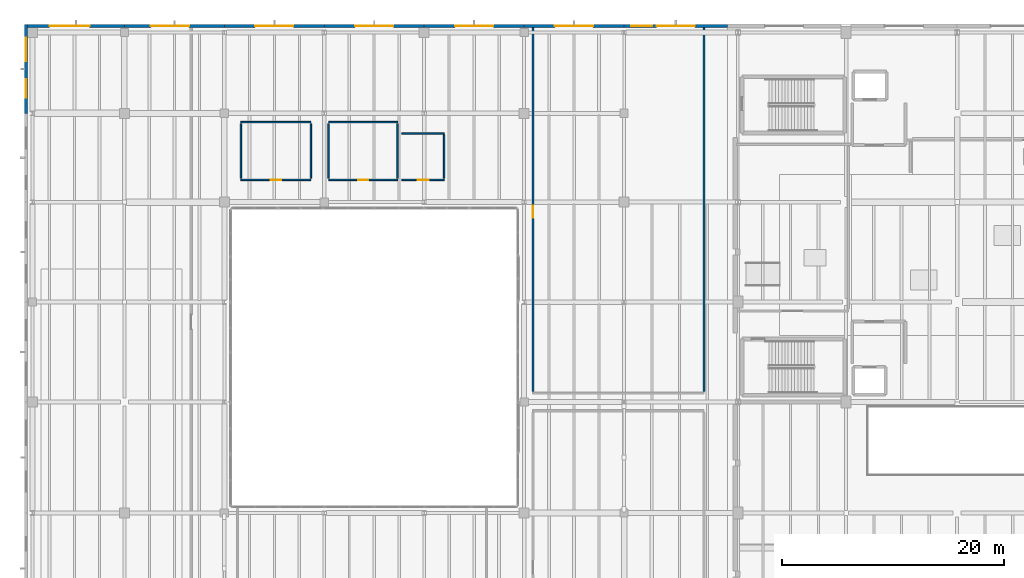
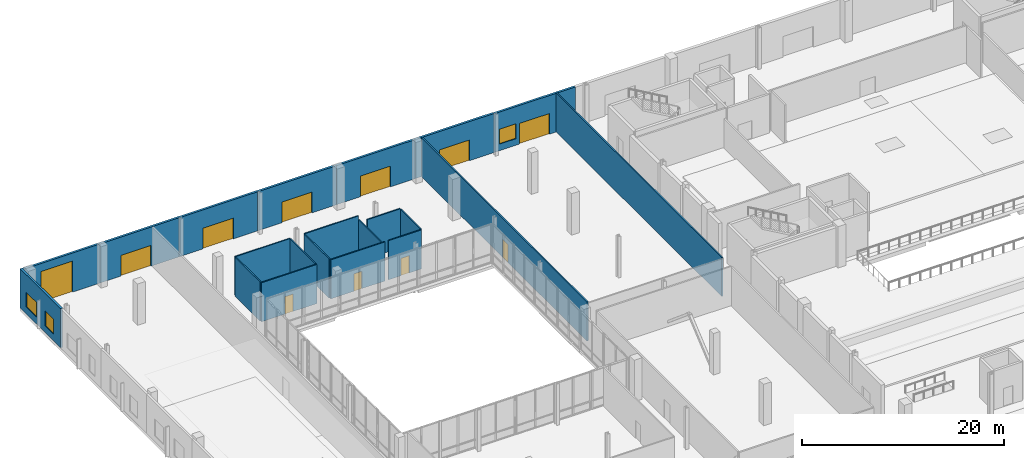
# One storey, part 71 of 88: 21 walls, 11 doors, 3 windows, 14 openings.
"""IFC4 building model written with IfcOpenShell, lengths in metres."""

from ifc_helpers import new_model, si_unit, direction, frame, frame_2d, origin, place, context, subcontext, project, spatial, rectangle, extrude, material, layer, layer_set, type_object, element, fill, save


model = new_model("IFC4")

# Units and contexts
model_context = context("Model", 3, precision=1e-05, world=origin(), true_north=direction((0.0, 1.0)))
body_context = subcontext(model_context, "Body", "Model", "MODEL_VIEW")
ifc_project = project(units=[si_unit("LENGTHUNIT", "METRE"), si_unit("AREAUNIT", "SQUARE_METRE"), si_unit("VOLUMEUNIT", "CUBIC_METRE"), si_unit("PLANEANGLEUNIT", "RADIAN"), si_unit("MASSUNIT", "GRAM", prefix="KILO")], contexts=[model_context])

# Site, building, storey
site_placement = place(None, origin())
site = spatial("IfcSite", under=ifc_project, at=site_placement, CompositionType="ELEMENT")
building_placement = place(site_placement, origin())
building = spatial("IfcBuilding", under=site, at=building_placement, Name="Trimount Lyric Opera House", CompositionType="ELEMENT")
storey_placement = place(building_placement, origin())
storey = spatial("IfcBuildingStorey", under=building, at=storey_placement, Name="L00", CompositionType="ELEMENT", Elevation=0.0)

# Wall, opening, door
ifc_material_1 = material(Name="Moisture-Resistant Gypsum Board")
ifc_layer_1 = layer(ifc_material_1, 0.135009765625)
ifc_layer_set_1 = layer_set([ifc_layer_1], Name="WL-PT135")
wall_type_1 = type_object("IfcWallType", Name="WL-PT135", PredefinedType="PARTITIONING", material=ifc_layer_set_1)
wall_1_placement = place(storey_placement, frame((19.5, 104.0, 0.0), z_axis=(0.0, 0.0, 1.0), x_axis=(1.0, 0.0, 0.0)))
wall_1 = element("IfcWall", 1, at=wall_1_placement, inside=storey, type_object=wall_type_1, Name="L00 L00 Male Restroom S partition", PredefinedType="PARTITIONING", context=body_context, shape_type="SweptSolid", body=[
    extrude(rectangle(XDim=6.300048828125, YDim=0.135009765625, at=frame_2d((3.14990234375, 0.0))), origin(), (0.0, 0.0, 1.0), 4.719970703125),
])
opening_1_placement = place(wall_1_placement, frame((2.68994140625, 0.0, 0.0)))
opening_1 = element("IfcOpeningElement", 2, at=opening_1_placement, cuts=wall_1, Name="Opening DT-WC1", PredefinedType="OPENING", context=body_context, shape_type="SweptSolid", body=[
    extrude(rectangle(XDim=0.919921875, YDim=2.10009765625, at=frame_2d((0.4599609375, 1.050048828125))), frame((0.0, 0.07763671875, 0.0), z_axis=(0.0, -1.0, 0.0), x_axis=(1.0, 0.0, 0.0)), (0.0, 0.0, 1.0), 0.155029296875),
])
ifc_material_2 = material(Name="Moisture-Resistant Solid-Core Laminate")
door_type_1 = type_object("IfcDoorType", Name="DT-WC1", OperationType="NOTDEFINED", PredefinedType="DOOR", material=ifc_material_2)
door_1_placement = place(opening_1_placement, origin())
door_1 = element("IfcDoor", 3, at=door_1_placement, inside=storey, type_object=door_type_1, Name="D-192", OperationType="SINGLE_SWING_LEFT", OverallHeight=2.10009765625, OverallWidth=0.919921875, PredefinedType="DOOR", context=body_context, shape_type="SweptSolid", body=[
    extrude(rectangle(XDim=0.919921875, YDim=2.10009765625, at=frame_2d((0.4599609375, 1.050048828125))), frame((0.0, 0.02490234375, 0.0), z_axis=(0.0, -1.0, 0.0), x_axis=(1.0, 0.0, 0.0)), (0.0, 0.0, 1.0), 0.050048828125),
])
fill(opening_1, door_1)

# Walls
wall_2_placement = place(storey_placement, frame((25.800048828125, 109.199951171875, 0.0), z_axis=(0.0, 0.0, 1.0), x_axis=(-1.0, 0.0, 0.0)))
element("IfcWall", 4, at=wall_2_placement, inside=storey, type_object=wall_type_1, Name="L00 L00 Male Restroom N partition", PredefinedType="PARTITIONING", context=body_context, shape_type="SweptSolid", body=[
    extrude(rectangle(XDim=6.300048828125, YDim=0.135009765625, at=frame_2d((3.14990234375, 0.0))), origin(), (0.0, 0.0, 1.0), 4.719970703125),
])
for number, where, z_axis, x_axis, name in (
    (5, (19.5, 109.06494140625, 0.0), (0.0, 0.0, 1.0), (0.0, -1.0, 0.0), "L00 L00 Male Restroom W partition"),
    (6, (25.800048828125, 104.135009765625, 0.0), (0.0, 0.0, 1.0), (0.0, 1.0, 0.0), "L00 L00 Male Restroom E partition"),
):
    element("IfcWall", number, at=place(storey_placement, frame(where, z_axis=z_axis, x_axis=x_axis)), inside=storey, type_object=wall_type_1, Name=name, PredefinedType="PARTITIONING", context=body_context, shape_type="SweptSolid", body=[
        extrude(rectangle(XDim=4.929931640625, YDim=0.135009765625, at=frame_2d((2.46484375, 0.0))), origin(), (0.0, 0.0, 1.0), 4.719970703125),
    ])

# Wall, opening, door
wall_3_placement = place(storey_placement, frame((27.39990234375, 104.0, 0.0), z_axis=(0.0, 0.0, 1.0), x_axis=(1.0, 0.0, 0.0)))
wall_3 = element("IfcWall", 7, at=wall_3_placement, inside=storey, type_object=wall_type_1, Name="L00 L00 Female Restroom S partition", PredefinedType="PARTITIONING", context=body_context, shape_type="SweptSolid", body=[
    extrude(rectangle(XDim=6.2001953125, YDim=0.135009765625, at=frame_2d((3.10009765625, 0.0))), origin(), (0.0, 0.0, 1.0), 4.719970703125),
])
opening_2_placement = place(wall_3_placement, frame((2.639892578125, 0.0, 0.0)))
opening_2 = element("IfcOpeningElement", 8, at=opening_2_placement, cuts=wall_3, Name="Opening DT-WC1", PredefinedType="OPENING", context=body_context, shape_type="SweptSolid", body=[
    extrude(rectangle(XDim=0.919921875, YDim=2.10009765625, at=frame_2d((0.4599609375, 1.050048828125))), frame((0.0, 0.07763671875, 0.0), z_axis=(0.0, -1.0, 0.0), x_axis=(1.0, 0.0, 0.0)), (0.0, 0.0, 1.0), 0.155029296875),
])
door_2_placement = place(opening_2_placement, origin())
door_2 = element("IfcDoor", 9, at=door_2_placement, inside=storey, type_object=door_type_1, Name="D-193", OperationType="SINGLE_SWING_RIGHT", OverallHeight=2.10009765625, OverallWidth=0.919921875, PredefinedType="DOOR", context=body_context, shape_type="SweptSolid", body=[
    extrude(rectangle(XDim=0.919921875, YDim=2.10009765625, at=frame_2d((0.4599609375, 1.050048828125))), frame((0.0, 0.02490234375, 0.0), z_axis=(0.0, -1.0, 0.0), x_axis=(1.0, 0.0, 0.0)), (0.0, 0.0, 1.0), 0.050048828125),
])
fill(opening_2, door_2)

# Walls
wall_4_placement = place(storey_placement, frame((33.60009765625, 109.199951171875, 0.0), z_axis=(0.0, 0.0, 1.0), x_axis=(-1.0, 0.0, 0.0)))
element("IfcWall", 10, at=wall_4_placement, inside=storey, type_object=wall_type_1, Name="L00 L00 Female Restroom N partition", PredefinedType="PARTITIONING", context=body_context, shape_type="SweptSolid", body=[
    extrude(rectangle(XDim=6.2001953125, YDim=0.135009765625, at=frame_2d((3.10009765625, 0.0))), origin(), (0.0, 0.0, 1.0), 4.719970703125),
])
wall_5_placement = place(storey_placement, frame((27.39990234375, 109.06494140625, 0.0), z_axis=(0.0, 0.0, 1.0), x_axis=(0.0, -1.0, 0.0)))
element("IfcWall", 11, at=wall_5_placement, inside=storey, type_object=wall_type_1, Name="L00 L00 Female Restroom W partition", PredefinedType="PARTITIONING", context=body_context, shape_type="SweptSolid", body=[
    extrude(rectangle(XDim=4.929931640625, YDim=0.135009765625, at=frame_2d((2.46484375, 0.0))), origin(), (0.0, 0.0, 1.0), 4.719970703125),
])
wall_6_placement = place(storey_placement, frame((33.60009765625, 104.135009765625, 0.0), z_axis=(0.0, 0.0, 1.0), x_axis=(0.0, 1.0, 0.0)))
element("IfcWall", 12, at=wall_6_placement, inside=storey, type_object=wall_type_1, Name="L00 L00 Female Restroom E partition", PredefinedType="PARTITIONING", context=body_context, shape_type="SweptSolid", body=[
    extrude(rectangle(XDim=4.929931640625, YDim=0.135009765625, at=frame_2d((2.46484375, 0.0))), origin(), (0.0, 0.0, 1.0), 4.305908203125),
])

# Wall, opening, door
wall_7_placement = place(storey_placement, frame((34.0, 104.0, 0.0), z_axis=(0.0, 0.0, 1.0), x_axis=(1.0, 0.0, 0.0)))
wall_7 = element("IfcWall", 13, at=wall_7_placement, inside=storey, type_object=wall_type_1, Name="L00 L00 Accessible WC S partition", PredefinedType="PARTITIONING", context=body_context, shape_type="SweptSolid", body=[
    extrude(rectangle(XDim=3.800048828125, YDim=0.135009765625, at=frame_2d((1.89990234375, 0.0))), origin(), (0.0, 0.0, 1.0), 4.719970703125),
])
opening_3_placement = place(wall_7_placement, frame((1.409912109375, 0.0, 0.0)))
opening_3 = element("IfcOpeningElement", 14, at=opening_3_placement, cuts=wall_7, Name="Opening DT-WC2", PredefinedType="OPENING", context=body_context, shape_type="SweptSolid", body=[
    extrude(rectangle(XDim=0.97998046875, YDim=2.10009765625, at=frame_2d((0.489990234375, 1.050048828125))), frame((0.0, 0.07763671875, 0.0), z_axis=(0.0, -1.0, 0.0), x_axis=(1.0, 0.0, 0.0)), (0.0, 0.0, 1.0), 0.155029296875),
])
ifc_material_3 = material(Name="Moisture-Resistant Solid-Core Laminate")
door_type_2 = type_object("IfcDoorType", Name="DT-WC2", OperationType="NOTDEFINED", PredefinedType="DOOR", material=ifc_material_3)
door_3_placement = place(opening_3_placement, origin())
door_3 = element("IfcDoor", 15, at=door_3_placement, inside=storey, type_object=door_type_2, Name="D-194", OperationType="SINGLE_SWING_LEFT", OverallHeight=2.10009765625, OverallWidth=0.97998046875, PredefinedType="DOOR", context=body_context, shape_type="SweptSolid", body=[
    extrude(rectangle(XDim=0.97998046875, YDim=2.10009765625, at=frame_2d((0.489990234375, 1.050048828125))), frame((0.0, 0.02490234375, 0.0), z_axis=(0.0, -1.0, 0.0), x_axis=(1.0, 0.0, 0.0)), (0.0, 0.0, 1.0), 0.050048828125),
])
fill(opening_3, door_3)

# Walls
wall_8_placement = place(storey_placement, frame((37.800048828125, 108.199951171875, 0.0), z_axis=(0.0, 0.0, 1.0), x_axis=(-1.0, 0.0, 0.0)))
element("IfcWall", 16, at=wall_8_placement, inside=storey, type_object=wall_type_1, Name="L00 L00 Accessible WC N partition", PredefinedType="PARTITIONING", context=body_context, shape_type="SweptSolid", body=[
    extrude(rectangle(XDim=3.800048828125, YDim=0.135009765625, at=frame_2d((1.89990234375, 0.0))), origin(), (0.0, 0.0, 1.0), 4.719970703125),
])
wall_9_placement = place(storey_placement, frame((37.800048828125, 104.135009765625, 0.0), z_axis=(0.0, 0.0, 1.0), x_axis=(0.0, 1.0, 0.0)))
element("IfcWall", 17, at=wall_9_placement, inside=storey, type_object=wall_type_1, Name="L00 L00 Accessible WC E partition", PredefinedType="PARTITIONING", context=body_context, shape_type="SweptSolid", body=[
    extrude(rectangle(XDim=3.929931640625, YDim=0.135009765625, at=frame_2d((1.96484375, 0.0))), origin(), (0.0, 0.0, 1.0), 4.719970703125),
])

# Wall, opening, door
ifc_material_4 = material(Name="Fire-Rated Gypsum Board Partition")
ifc_layer_2 = layer(ifc_material_4, 0.14990234375)
ifc_layer_set_2 = layer_set([ifc_layer_2], Name="WL-PT150")
wall_type_2 = type_object("IfcWallType", Name="WL-PT150", PredefinedType="PARTITIONING", material=ifc_layer_set_2)
wall_10_placement = place(storey_placement, frame((45.800048828125, 117.719970703125, 0.0), z_axis=(0.0, 0.0, 1.0), x_axis=(0.0, -1.0, 0.0)))
wall_10 = element("IfcWall", 18, at=wall_10_placement, inside=storey, type_object=wall_type_2, Name="L00 Artists' Green Room & Warm-Up W partition", PredefinedType="PARTITIONING", context=body_context, shape_type="SweptSolid", body=[
    extrude(rectangle(XDim=32.77001953125, YDim=0.14990234375, at=frame_2d((16.385009765625, 0.0))), origin(), (0.0, 0.0, 1.0), 4.719970703125),
])
opening_4_placement = place(wall_10_placement, frame((16.06005859375, 0.0, 0.0)))
opening_4 = element("IfcOpeningElement", 19, at=opening_4_placement, cuts=wall_10, Name="Opening DT-RM3", PredefinedType="OPENING", context=body_context, shape_type="SweptSolid", body=[
    extrude(rectangle(XDim=1.050048828125, YDim=2.199951171875, at=frame_2d((0.52490234375, 1.10009765625))), frame((0.0, 0.0849609375, 0.0), z_axis=(0.0, -1.0, 0.0), x_axis=(1.0, 0.0, 0.0)), (0.0, 0.0, 1.0), 0.169921875),
])
ifc_material_5 = material(Name="Solid Core White Oak")
door_type_3 = type_object("IfcDoorType", Name="DT-RM3", OperationType="NOTDEFINED", PredefinedType="DOOR", material=ifc_material_5)
door_4_placement = place(opening_4_placement, origin())
door_4 = element("IfcDoor", 20, at=door_4_placement, inside=storey, type_object=door_type_3, Name="D-186", OperationType="SINGLE_SWING_RIGHT", OverallHeight=2.199951171875, OverallWidth=1.050048828125, PredefinedType="DOOR", context=body_context, shape_type="SweptSolid", body=[
    extrude(rectangle(XDim=1.050048828125, YDim=2.199951171875, at=frame_2d((0.52490234375, 1.10009765625))), frame((0.0, 0.02490234375, 0.0), z_axis=(0.0, -1.0, 0.0), x_axis=(1.0, 0.0, 0.0)), (0.0, 0.0, 1.0), 0.050048828125),
])
fill(opening_4, door_4)

# Wall
wall_11_placement = place(storey_placement, frame((61.199951171875, 84.949951171875, 0.0), z_axis=(0.0, 0.0, 1.0), x_axis=(0.0, 1.0, 0.0)))
element("IfcWall", 21, at=wall_11_placement, inside=storey, type_object=wall_type_2, Name="L00 Artists' Green Room & Warm-Up E partition", PredefinedType="PARTITIONING", context=body_context, shape_type="SweptSolid", body=[
    extrude(rectangle(XDim=32.77001953125, YDim=0.14990234375, at=frame_2d((16.385009765625, 0.0))), origin(), (0.0, 0.0, 1.0), 4.719970703125),
])

# Wall, openings, windows
ifc_material_6 = material(Name="Concrete C35/45", Category="concrete")
ifc_layer_3 = layer(ifc_material_6, 0.25)
ifc_layer_set_3 = layer_set([ifc_layer_3], Name="WL-SW250")
wall_type_3 = type_object("IfcWallType", Name="WL-SW250", PredefinedType="SOLIDWALL", material=ifc_layer_set_3)
wall_12_placement = place(storey_placement, frame((0.139892578125, 110.0, 0.0), z_axis=(0.0, 0.0, 1.0), x_axis=(0.0, 1.0, 0.0)))
wall_12 = element("IfcWall", 22, at=wall_12_placement, inside=storey, type_object=wall_type_3, Name="L00 exterior facade wall 105", PredefinedType="SOLIDWALL", context=body_context, shape_type="SweptSolid", body=[
    extrude(rectangle(XDim=8.0, YDim=0.25, at=frame_2d((4.0, 0.0))), origin(), (0.0, 0.0, 1.0), 4.719970703125),
])
opening_5_placement = place(wall_12_placement, frame((1.389892578125, 0.0, 0.800048828125)))
opening_5 = element("IfcOpeningElement", 23, at=opening_5_placement, cuts=wall_12, Name="Opening WT-19", PredefinedType="OPENING", context=body_context, shape_type="SweptSolid", body=[
    extrude(rectangle(XDim=1.699951171875, YDim=1.800048828125, at=frame_2d((0.85009765625, 0.89990234375))), frame((0.0, 0.135009765625, 0.0), z_axis=(0.0, -1.0, 0.0), x_axis=(1.0, 0.0, 0.0)), (0.0, 0.0, 1.0), 0.27001953125),
])
opening_6_placement = place(wall_12_placement, frame((4.7099609375, 0.0, 0.800048828125)))
opening_6 = element("IfcOpeningElement", 24, at=opening_6_placement, cuts=wall_12, Name="Opening WT-17", PredefinedType="OPENING", context=body_context, shape_type="SweptSolid", body=[
    extrude(rectangle(XDim=2.10009765625, YDim=1.800048828125, at=frame_2d((1.050048828125, 0.89990234375))), frame((0.0, 0.135009765625, 0.0), z_axis=(0.0, -1.0, 0.0), x_axis=(1.0, 0.0, 0.0)), (0.0, 0.0, 1.0), 0.27001953125),
])
ifc_material_7 = material(Name="Dressing Suite Acoustic Window")
window_type_1 = type_object("IfcWindowType", Name="WT-17", PartitioningType="DOUBLE_PANEL_VERTICAL", PredefinedType="WINDOW", material=ifc_material_7)
window_1_placement = place(opening_6_placement, origin())
window_1 = element("IfcWindow", 25, at=window_1_placement, inside=storey, type_object=window_type_1, Name="Window WT-17-0017", OverallHeight=1.800048828125, OverallWidth=2.10009765625, PartitioningType="SINGLE_PANEL", PredefinedType="WINDOW", context=body_context, shape_type="SweptSolid", body=[
    extrude(rectangle(XDim=2.10009765625, YDim=1.800048828125, at=frame_2d((1.050048828125, 0.89990234375))), frame((0.0, 0.030029296875, 0.0), z_axis=(0.0, -1.0, 0.0), x_axis=(1.0, 0.0, 0.0)), (0.0, 0.0, 1.0), 0.06005859375),
])
fill(opening_6, window_1)
ifc_material_8 = material(Name="Dressing Suite Acoustic Window")
window_type_2 = type_object("IfcWindowType", Name="WT-19", PartitioningType="SINGLE_PANEL", PredefinedType="WINDOW", material=ifc_material_8)
window_2_placement = place(opening_5_placement, origin())
window_2 = element("IfcWindow", 26, at=window_2_placement, inside=storey, type_object=window_type_2, Name="Window WT-19-0016", OverallHeight=1.800048828125, OverallWidth=1.699951171875, PartitioningType="SINGLE_PANEL", PredefinedType="WINDOW", context=body_context, shape_type="SweptSolid", body=[
    extrude(rectangle(XDim=1.699951171875, YDim=1.800048828125, at=frame_2d((0.85009765625, 0.89990234375))), frame((0.0, 0.030029296875, 0.0), z_axis=(0.0, -1.0, 0.0), x_axis=(1.0, 0.0, 0.0)), (0.0, 0.0, 1.0), 0.06005859375),
])
fill(opening_5, window_2)

# Wall, opening, door
wall_13_placement = place(storey_placement, frame((0.27001953125, 117.860107421875, 0.0), z_axis=(0.0, 0.0, 1.0), x_axis=(1.0, 0.0, 0.0)))
wall_13 = element("IfcWall", 27, at=wall_13_placement, inside=storey, type_object=wall_type_3, Name="L00 exterior facade wall 106", PredefinedType="SOLIDWALL", context=body_context, shape_type="SweptSolid", body=[
    extrude(rectangle(XDim=8.72998046875, YDim=0.25, at=frame_2d((4.364990234375, 0.0))), origin(), (0.0, 0.0, 1.0), 4.719970703125),
])
opening_7_placement = place(wall_13_placement, frame((2.0, 0.0, 0.0)))
opening_7 = element("IfcOpeningElement", 28, at=opening_7_placement, cuts=wall_13, Name="Opening DT-GT1", PredefinedType="OPENING", context=body_context, shape_type="SweptSolid", body=[
    extrude(rectangle(XDim=3.60009765625, YDim=3.75, at=frame_2d((1.800048828125, 1.875))), frame((0.0, 0.135009765625, 0.0), z_axis=(0.0, -1.0, 0.0), x_axis=(1.0, 0.0, 0.0)), (0.0, 0.0, 1.0), 0.27001953125),
])
ifc_material_9 = material(Name="Insulated Galvanised Steel", Category="steel")
door_type_4 = type_object("IfcDoorType", Name="DT-GT1", OperationType="ROLLINGUP", PredefinedType="GATE", material=ifc_material_9)
door_5_placement = place(opening_7_placement, origin())
door_5 = element("IfcDoor", 29, at=door_5_placement, inside=storey, type_object=door_type_4, Name="D-141", OperationType="ROLLINGUP", OverallHeight=3.75, OverallWidth=3.60009765625, PredefinedType="GATE", context=body_context, shape_type="SweptSolid", body=[
    extrude(rectangle(XDim=3.60009765625, YDim=3.75, at=frame_2d((1.800048828125, 1.875))), frame((0.0, 0.02490234375, 0.0), z_axis=(0.0, -1.0, 0.0), x_axis=(1.0, 0.0, 0.0)), (0.0, 0.0, 1.0), 0.050048828125),
])
fill(opening_7, door_5)

wall_14_placement = place(storey_placement, frame((9.0, 117.860107421875, 0.0), z_axis=(0.0, 0.0, 1.0), x_axis=(1.0, 0.0, 0.0)))
wall_14 = element("IfcWall", 30, at=wall_14_placement, inside=storey, type_object=wall_type_3, Name="L00 exterior facade wall 107", PredefinedType="SOLIDWALL", context=body_context, shape_type="SweptSolid", body=[
    extrude(rectangle(XDim=9.0, YDim=0.25, at=frame_2d((4.5, 0.0))), origin(), (0.0, 0.0, 1.0), 4.719970703125),
])
opening_8_placement = place(wall_14_placement, frame((2.375, 0.0, 0.0)))
opening_8 = element("IfcOpeningElement", 31, at=opening_8_placement, cuts=wall_14, Name="Opening DT-EXIT-1", PredefinedType="OPENING", context=body_context, shape_type="SweptSolid", body=[
    extrude(rectangle(XDim=3.449951171875, YDim=2.5, at=frame_2d((1.72509765625, 1.25))), frame((0.0, 0.135009765625, 0.0), z_axis=(0.0, -1.0, 0.0), x_axis=(1.0, 0.0, 0.0)), (0.0, 0.0, 1.0), 0.27001953125),
])
ifc_material_10 = material(Name="Anodised Bronze Glazed Assembly")
door_type_5 = type_object("IfcDoorType", Name="DT-EXIT-1", OperationType="DOUBLE_DOOR_SINGLE_SWING", PredefinedType="DOOR", material=ifc_material_10)
door_6_placement = place(opening_8_placement, origin())
door_6 = element("IfcDoor", 32, at=door_6_placement, inside=storey, type_object=door_type_5, Name="D-149", OperationType="DOUBLE_DOOR_SINGLE_SWING", OverallHeight=2.5, OverallWidth=3.449951171875, PredefinedType="DOOR", context=body_context, shape_type="SweptSolid", body=[
    extrude(rectangle(XDim=3.449951171875, YDim=2.5, at=frame_2d((1.72509765625, 1.25))), frame((0.0, 0.02490234375, 0.0), z_axis=(0.0, -1.0, 0.0), x_axis=(1.0, 0.0, 0.0)), (0.0, 0.0, 1.0), 0.050048828125),
])
fill(opening_8, door_6)

wall_15_placement = place(storey_placement, frame((18.0, 117.860107421875, 0.0), z_axis=(0.0, 0.0, 1.0), x_axis=(1.0, 0.0, 0.0)))
wall_15 = element("IfcWall", 33, at=wall_15_placement, inside=storey, type_object=wall_type_3, Name="L00 exterior facade wall 108", PredefinedType="SOLIDWALL", context=body_context, shape_type="SweptSolid", body=[
    extrude(rectangle(XDim=9.0, YDim=0.25, at=frame_2d((4.5, 0.0))), origin(), (0.0, 0.0, 1.0), 4.719970703125),
])
opening_9_placement = place(wall_15_placement, frame((2.775146484375, 0.0, 0.0)))
opening_9 = element("IfcOpeningElement", 34, at=opening_9_placement, cuts=wall_15, Name="Opening DT-EXIT-1", PredefinedType="OPENING", context=body_context, shape_type="SweptSolid", body=[
    extrude(rectangle(XDim=3.449951171875, YDim=2.5, at=frame_2d((1.72509765625, 1.25))), frame((0.0, 0.135009765625, 0.0), z_axis=(0.0, -1.0, 0.0), x_axis=(1.0, 0.0, 0.0)), (0.0, 0.0, 1.0), 0.27001953125),
])
door_7_placement = place(opening_9_placement, origin())
door_7 = element("IfcDoor", 35, at=door_7_placement, inside=storey, type_object=door_type_5, Name="D-150", OperationType="DOUBLE_DOOR_SINGLE_SWING", OverallHeight=2.5, OverallWidth=3.449951171875, PredefinedType="DOOR", context=body_context, shape_type="SweptSolid", body=[
    extrude(rectangle(XDim=3.449951171875, YDim=2.5, at=frame_2d((1.72509765625, 1.25))), frame((0.0, 0.02490234375, 0.0), z_axis=(0.0, -1.0, 0.0), x_axis=(1.0, 0.0, 0.0)), (0.0, 0.0, 1.0), 0.050048828125),
])
fill(opening_9, door_7)

wall_16_placement = place(storey_placement, frame((27.0, 117.860107421875, 0.0), z_axis=(0.0, 0.0, 1.0), x_axis=(1.0, 0.0, 0.0)))
wall_16 = element("IfcWall", 36, at=wall_16_placement, inside=storey, type_object=wall_type_3, Name="L00 exterior facade wall 109", PredefinedType="SOLIDWALL", context=body_context, shape_type="SweptSolid", body=[
    extrude(rectangle(XDim=9.0, YDim=0.25, at=frame_2d((4.5, 0.0))), origin(), (0.0, 0.0, 1.0), 4.719970703125),
])
opening_10_placement = place(wall_16_placement, frame((2.77490234375, 0.0, 0.0)))
opening_10 = element("IfcOpeningElement", 37, at=opening_10_placement, cuts=wall_16, Name="Opening DT-EXIT-1", PredefinedType="OPENING", context=body_context, shape_type="SweptSolid", body=[
    extrude(rectangle(XDim=3.449951171875, YDim=2.5, at=frame_2d((1.72509765625, 1.25))), frame((0.0, 0.135009765625, 0.0), z_axis=(0.0, -1.0, 0.0), x_axis=(1.0, 0.0, 0.0)), (0.0, 0.0, 1.0), 0.27001953125),
])
door_8_placement = place(opening_10_placement, origin())
door_8 = element("IfcDoor", 38, at=door_8_placement, inside=storey, type_object=door_type_5, Name="D-151", OperationType="DOUBLE_DOOR_SINGLE_SWING", OverallHeight=2.5, OverallWidth=3.449951171875, PredefinedType="DOOR", context=body_context, shape_type="SweptSolid", body=[
    extrude(rectangle(XDim=3.449951171875, YDim=2.5, at=frame_2d((1.72509765625, 1.25))), frame((0.0, 0.02490234375, 0.0), z_axis=(0.0, -1.0, 0.0), x_axis=(1.0, 0.0, 0.0)), (0.0, 0.0, 1.0), 0.050048828125),
])
fill(opening_10, door_8)

wall_17_placement = place(storey_placement, frame((36.0, 117.860107421875, 0.0), z_axis=(0.0, 0.0, 1.0), x_axis=(1.0, 0.0, 0.0)))
wall_17 = element("IfcWall", 39, at=wall_17_placement, inside=storey, type_object=wall_type_3, Name="L00 exterior facade wall 110", PredefinedType="SOLIDWALL", context=body_context, shape_type="SweptSolid", body=[
    extrude(rectangle(XDim=9.0, YDim=0.25, at=frame_2d((4.5, 0.0))), origin(), (0.0, 0.0, 1.0), 4.719970703125),
])
opening_11_placement = place(wall_17_placement, frame((2.77490234375, 0.0, 0.0)))
opening_11 = element("IfcOpeningElement", 40, at=opening_11_placement, cuts=wall_17, Name="Opening DT-EXIT-1", PredefinedType="OPENING", context=body_context, shape_type="SweptSolid", body=[
    extrude(rectangle(XDim=3.449951171875, YDim=2.5, at=frame_2d((1.72509765625, 1.25))), frame((0.0, 0.135009765625, 0.0), z_axis=(0.0, -1.0, 0.0), x_axis=(1.0, 0.0, 0.0)), (0.0, 0.0, 1.0), 0.27001953125),
])
door_9_placement = place(opening_11_placement, origin())
door_9 = element("IfcDoor", 41, at=door_9_placement, inside=storey, type_object=door_type_5, Name="D-152", OperationType="DOUBLE_DOOR_SINGLE_SWING", OverallHeight=2.5, OverallWidth=3.449951171875, PredefinedType="DOOR", context=body_context, shape_type="SweptSolid", body=[
    extrude(rectangle(XDim=3.449951171875, YDim=2.5, at=frame_2d((1.72509765625, 1.25))), frame((0.0, 0.02490234375, 0.0), z_axis=(0.0, -1.0, 0.0), x_axis=(1.0, 0.0, 0.0)), (0.0, 0.0, 1.0), 0.050048828125),
])
fill(opening_11, door_9)

wall_18_placement = place(storey_placement, frame((45.0, 117.860107421875, 0.0), z_axis=(0.0, 0.0, 1.0), x_axis=(1.0, 0.0, 0.0)))
wall_18 = element("IfcWall", 42, at=wall_18_placement, inside=storey, type_object=wall_type_3, Name="L00 exterior facade wall 111", PredefinedType="SOLIDWALL", context=body_context, shape_type="SweptSolid", body=[
    extrude(rectangle(XDim=9.0, YDim=0.25, at=frame_2d((4.5, 0.0))), origin(), (0.0, 0.0, 1.0), 4.719970703125),
])
opening_12_placement = place(wall_18_placement, frame((2.77490234375, 0.0, 0.0)))
opening_12 = element("IfcOpeningElement", 43, at=opening_12_placement, cuts=wall_18, Name="Opening DT-EXIT-1", PredefinedType="OPENING", context=body_context, shape_type="SweptSolid", body=[
    extrude(rectangle(XDim=3.449951171875, YDim=2.5, at=frame_2d((1.72509765625, 1.25))), frame((0.0, 0.135009765625, 0.0), z_axis=(0.0, -1.0, 0.0), x_axis=(1.0, 0.0, 0.0)), (0.0, 0.0, 1.0), 0.27001953125),
])
door_10_placement = place(opening_12_placement, origin())
door_10 = element("IfcDoor", 44, at=door_10_placement, inside=storey, type_object=door_type_5, Name="D-153", OperationType="DOUBLE_DOOR_SINGLE_SWING", OverallHeight=2.5, OverallWidth=3.449951171875, PredefinedType="DOOR", context=body_context, shape_type="SweptSolid", body=[
    extrude(rectangle(XDim=3.449951171875, YDim=2.5, at=frame_2d((1.72509765625, 1.25))), frame((0.0, 0.02490234375, 0.0), z_axis=(0.0, -1.0, 0.0), x_axis=(1.0, 0.0, 0.0)), (0.0, 0.0, 1.0), 0.050048828125),
])
fill(opening_12, door_10)

# Wall, openings, door, window
wall_19_placement = place(storey_placement, frame((54.0, 117.860107421875, 0.0), z_axis=(0.0, 0.0, 1.0), x_axis=(1.0, 0.0, 0.0)))
wall_19 = element("IfcWall", 45, at=wall_19_placement, inside=storey, type_object=wall_type_3, Name="L00 exterior facade wall 112", PredefinedType="SOLIDWALL", context=body_context, shape_type="SweptSolid", body=[
    extrude(rectangle(XDim=9.320068359375, YDim=0.25, at=frame_2d((4.66015625, 0.0))), origin(), (0.0, 0.0, 1.0), 4.675048828125),
])
opening_13_placement = place(wall_19_placement, frame((0.65966796875, 0.0, 0.800048828125)))
opening_13 = element("IfcOpeningElement", 46, at=opening_13_placement, cuts=wall_19, Name="Opening WT-18", PredefinedType="OPENING", context=body_context, shape_type="SweptSolid", body=[
    extrude(rectangle(XDim=1.89990234375, YDim=1.800048828125, at=frame_2d((0.949951171875, 0.89990234375))), frame((0.0, 0.135009765625, 0.0), z_axis=(0.0, -1.0, 0.0), x_axis=(1.0, 0.0, 0.0)), (0.0, 0.0, 1.0), 0.27001953125),
])
opening_14_placement = place(wall_19_placement, frame((2.93505859375, 0.0, 0.0)))
opening_14 = element("IfcOpeningElement", 47, at=opening_14_placement, cuts=wall_19, Name="Opening DT-EXIT-1", PredefinedType="OPENING", context=body_context, shape_type="SweptSolid", body=[
    extrude(rectangle(XDim=3.449951171875, YDim=2.5, at=frame_2d((1.72509765625, 1.25))), frame((0.0, 0.135009765625, 0.0), z_axis=(0.0, -1.0, 0.0), x_axis=(1.0, 0.0, 0.0)), (0.0, 0.0, 1.0), 0.27001953125),
])
door_11_placement = place(opening_14_placement, origin())
door_11 = element("IfcDoor", 48, at=door_11_placement, inside=storey, type_object=door_type_5, Name="D-154", OperationType="DOUBLE_DOOR_SINGLE_SWING", OverallHeight=2.5, OverallWidth=3.449951171875, PredefinedType="DOOR", context=body_context, shape_type="SweptSolid", body=[
    extrude(rectangle(XDim=3.449951171875, YDim=2.5, at=frame_2d((1.72509765625, 1.25))), frame((0.0, 0.02490234375, 0.0), z_axis=(0.0, -1.0, 0.0), x_axis=(1.0, 0.0, 0.0)), (0.0, 0.0, 1.0), 0.050048828125),
])
fill(opening_14, door_11)
ifc_material_11 = material(Name="Dressing Suite Acoustic Window")
window_type_3 = type_object("IfcWindowType", Name="WT-18", PartitioningType="DOUBLE_PANEL_VERTICAL", PredefinedType="WINDOW", material=ifc_material_11)
window_3_placement = place(opening_13_placement, origin())
window_3 = element("IfcWindow", 49, at=window_3_placement, inside=storey, type_object=window_type_3, Name="Window WT-18-0018", OverallHeight=1.800048828125, OverallWidth=1.89990234375, PartitioningType="SINGLE_PANEL", PredefinedType="WINDOW", context=body_context, shape_type="SweptSolid", body=[
    extrude(rectangle(XDim=1.89990234375, YDim=1.800048828125, at=frame_2d((0.949951171875, 0.89990234375))), frame((0.0, 0.030029296875, 0.0), z_axis=(0.0, -1.0, 0.0), x_axis=(1.0, 0.0, 0.0)), (0.0, 0.0, 1.0), 0.06005859375),
])
fill(opening_13, window_3)

save(model, "model.ifc")
